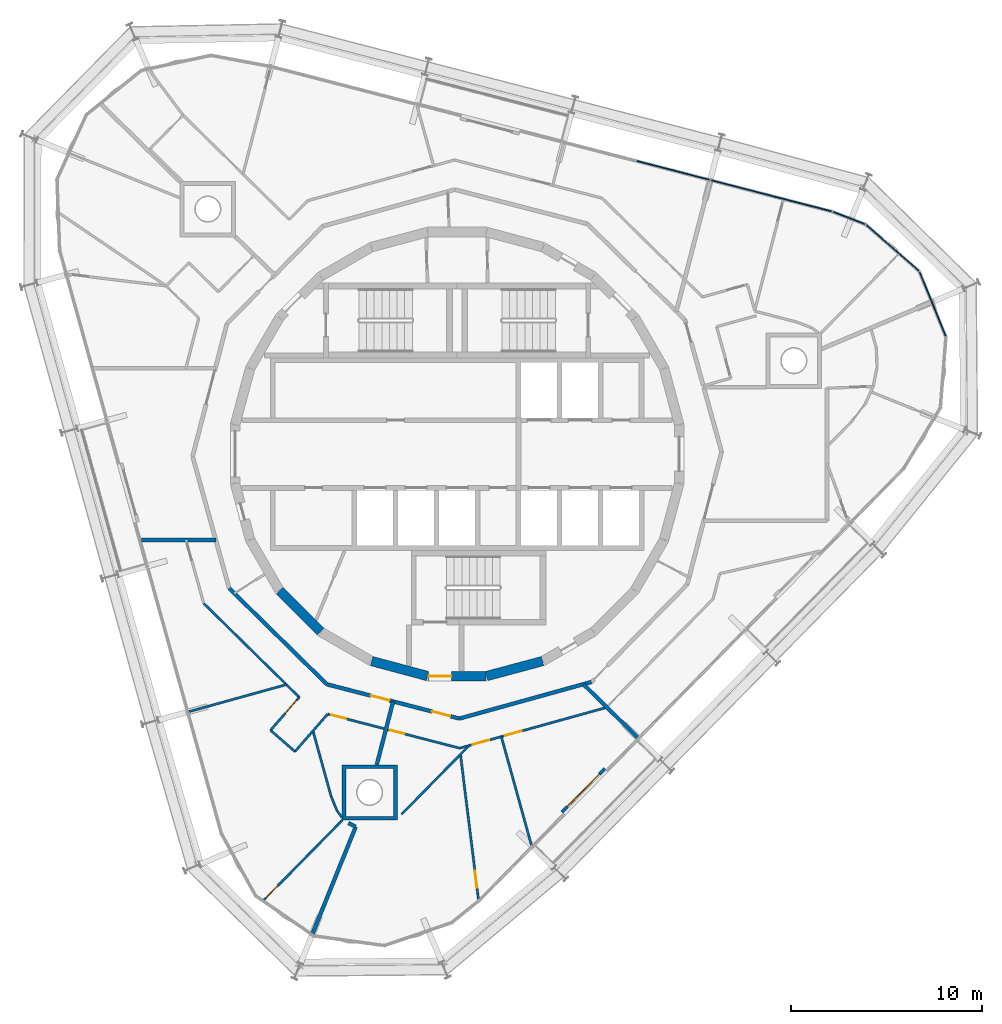
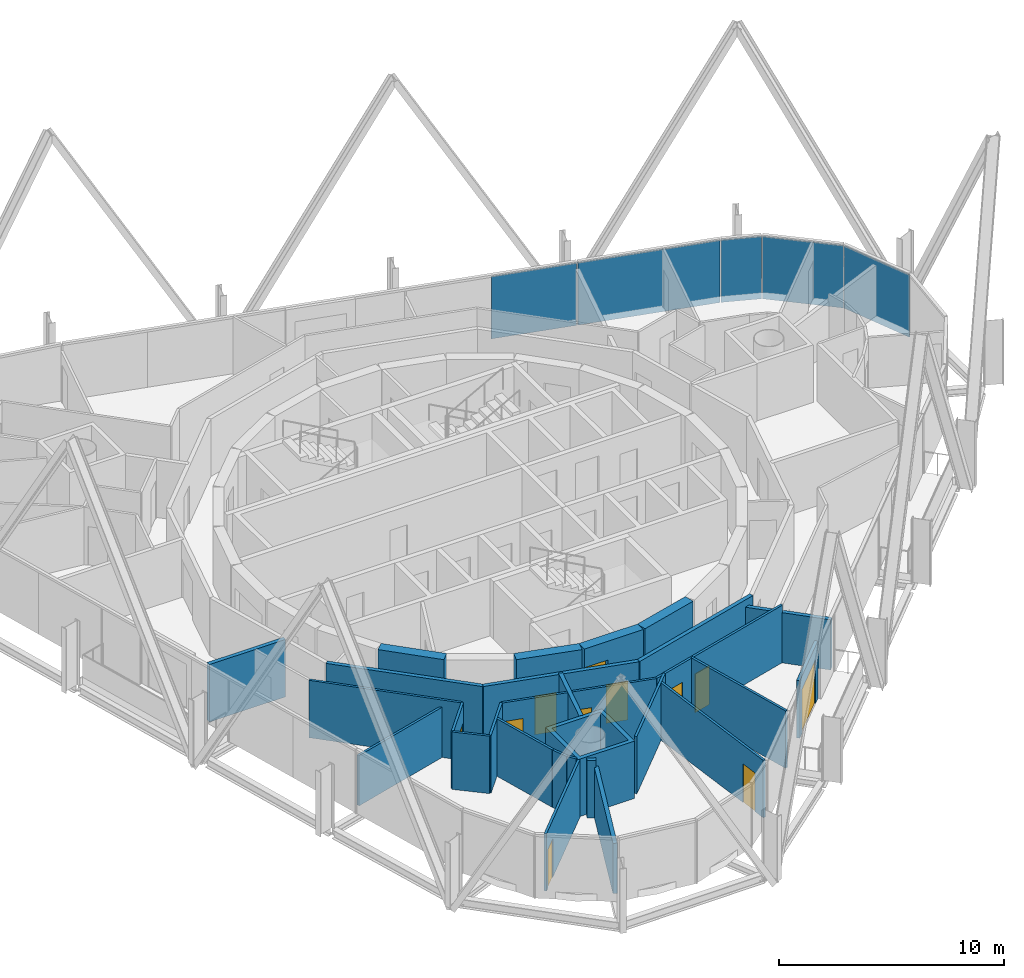
# One storey, part 9 of 15: 28 walls, 11 doors, 5 plates, 11 openings, 2 elements without a shape of their own.
"""IFC4 building model written with IfcOpenShell, lengths in metres."""

from ifc_helpers import new_model, si_unit, direction, frame, frame_2d, origin, origin_2d, place, context, subcontext, project, spatial, polyline, rectangle, outline, extrude, material, layer, layer_set, type_object, element, fill, aggregate, save


model = new_model("IFC4")

# Units and contexts
model_context = context("Model", 3, precision=1e-05, world=origin(), true_north=direction((0.0, 1.0)))
body_context = subcontext(model_context, "Body", "Model", "MODEL_VIEW")
ifc_project = project(units=[si_unit("LENGTHUNIT", "METRE"), si_unit("AREAUNIT", "SQUARE_METRE"), si_unit("VOLUMEUNIT", "CUBIC_METRE"), si_unit("PLANEANGLEUNIT", "RADIAN"), si_unit("MASSUNIT", "GRAM", prefix="KILO")], contexts=[model_context])

# Site, building, storey
site_placement = place(None, origin())
site = spatial("IfcSite", under=ifc_project, at=site_placement, CompositionType="ELEMENT")
building_placement = place(site_placement, origin())
building = spatial("IfcBuilding", under=site, at=building_placement, Name="Spindle Arch Residences", CompositionType="ELEMENT")
storey_placement = place(building_placement, frame((0.0, 0.0, 312.199951171875)))
storey = spatial("IfcBuildingStorey", under=building, at=storey_placement, Name="L80", CompositionType="ELEMENT", Elevation=312.199951171875)

# Curtain wall, plates
ifc_material_1 = material(Name="Aluminium bronze unitised frame with tinted glass", Category="aluminium")
ifc_layer_1 = layer(ifc_material_1, 0.159912109375)
ifc_layer_set_1 = layer_set([ifc_layer_1], Name="CW-D corner wall on the fillet arcs")
curtain_wall_type_1 = type_object("IfcCurtainWallType", Name="CW-D corner wall on the fillet arcs", PredefinedType="NOTDEFINED", material=ifc_layer_set_1)
curtain_wall_1_placement = place(storey_placement, origin())
curtain_wall_1 = element("IfcCurtainWall", 1, at=curtain_wall_1_placement, inside=storey, type_object=curtain_wall_type_1, Name="CW-D L80 run 1", PredefinedType="NOTDEFINED")
ifc_material_2 = material(Name="Tinted double glazing over aluminium faced non-combustible spandrel zone (K0)", Category="aluminium")
ifc_layer_2 = layer(ifc_material_2, 0.06005859375)
ifc_layer_set_2 = layer_set([ifc_layer_2], Name="Unitised glass panel with E 60 spandrel zone")
plate_type = type_object("IfcPlateType", Name="Unitised glass panel with E 60 spandrel zone", PredefinedType="CURTAIN_PANEL", material=ifc_layer_set_2)
plate_1_placement = place(storey_placement, frame((24.94384765625, 7.86474609375, -0.3798828125), z_axis=(0.0, 0.0, 1.0), x_axis=(-0.377302072189, 0.926090247396, 0.0)))
plate_1 = element("IfcPlate", 2, at=plate_1_placement, type_object=plate_type, Name="CW-D unit 03", PredefinedType="CURTAIN_PANEL", context=body_context, shape_type="SweptSolid", body=[
    extrude(rectangle(XDim=3.666748046875, YDim=0.06005859375, at=origin_2d()), origin(), (0.0, 0.0, 1.0), 3.3798828125),
])
plate_2_placement = place(storey_placement, frame((22.837890625, 10.81689453125, -0.3798828125), z_axis=(0.0, 0.0, 1.0), x_axis=(-0.752797991635, 0.658251611308, 0.0)))
plate_2 = element("IfcPlate", 3, at=plate_2_placement, type_object=plate_type, Name="CW-D unit 04", PredefinedType="CURTAIN_PANEL", context=body_context, shape_type="SweptSolid", body=[
    extrude(rectangle(XDim=3.666748046875, YDim=0.06005859375, at=origin_2d()), origin(), (0.0, 0.0, 1.0), 3.3798828125),
])
plate_3_placement = place(storey_placement, frame((20.560546875, 12.38232421875, -0.3798828125), z_axis=(0.0, 0.0, 1.0), x_axis=(-0.932534030225, 0.361082099353, 0.0)))
plate_3 = element("IfcPlate", 4, at=plate_3_placement, type_object=plate_type, Name="CW-D unit 05", PredefinedType="CURTAIN_PANEL", context=body_context, shape_type="SweptSolid", body=[
    extrude(rectangle(XDim=1.816162109375, YDim=0.06005859375, at=origin_2d()), origin(), (0.0, 0.0, 1.0), 3.3798828125),
])
plate_4_placement = place(storey_placement, frame((16.483154296875, 13.549072265625, -0.3798828125), z_axis=(0.0, 0.0, 1.0), x_axis=(-0.968147640378, 0.250380004054, 0.0)))
plate_4 = element("IfcPlate", 5, at=plate_4_placement, type_object=plate_type, Name="CW-D unit 06", PredefinedType="CURTAIN_PANEL", context=body_context, shape_type="SweptSolid", body=[
    extrude(rectangle(XDim=6.555908203125, YDim=0.06005859375, at=origin_2d()), origin(), (0.0, 0.0, 1.0), 3.3798828125),
])
aggregate(curtain_wall_1, [plate_1, plate_2, plate_3, plate_4])

# Curtain wall, plate
ifc_material_3 = material(Name="Aluminium bronze unitised frame with tinted glass", Category="aluminium")
ifc_layer_3 = layer(ifc_material_3, 0.159912109375)
ifc_layer_set_3 = layer_set([ifc_layer_3], Name="CW-C typical residential unitised wall")
curtain_wall_type_2 = type_object("IfcCurtainWallType", Name="CW-C typical residential unitised wall", PredefinedType="NOTDEFINED", material=ifc_layer_set_3)
curtain_wall_2_placement = place(storey_placement, origin())
curtain_wall_2 = element("IfcCurtainWall", 6, at=curtain_wall_2_placement, inside=storey, type_object=curtain_wall_type_2, Name="CW-C L80 run 2", PredefinedType="NOTDEFINED")
plate_5_placement = place(storey_placement, frame((11.34521484375, 14.8779296875, -0.3798828125), z_axis=(0.0, 0.0, 1.0), x_axis=(-0.968147640378, 0.250380004054, 0.0)))
plate_5 = element("IfcPlate", 7, at=plate_5_placement, type_object=plate_type, Name="CW-C unit 05A", PredefinedType="CURTAIN_PANEL", context=body_context, shape_type="SweptSolid", body=[
    extrude(rectangle(XDim=3.9375, YDim=0.06005859375, at=origin_2d()), origin(), (0.0, 0.0, 1.0), 3.3798828125),
])
aggregate(curtain_wall_2, [plate_5])

# Walls
ifc_material_4 = material(Name="Concrete C50/60", Category="concrete")
ifc_layer_4 = layer(ifc_material_4, 0.5)
ifc_layer_set_4 = layer_set([ifc_layer_4], Name="Core outline wall 500")
wall_type_1 = type_object("IfcWallType", Name="Core outline wall 500", PredefinedType="SHEAR", material=ifc_layer_set_4)
wall_1_placement = place(storey_placement, frame((1.5498046875, -11.642822265625, 0.0), z_axis=(0.0, 0.0, 1.0), x_axis=(0.965948410781, 0.258734743916, 0.0)))
element("IfcWall", 8, at=wall_1_placement, inside=storey, type_object=wall_type_1, Name="Core outline wall 1", PredefinedType="SHEAR", context=body_context, shape_type="SweptSolid", body=[
    extrude(rectangle(XDim=3.03271484375, YDim=0.5, at=frame_2d((1.516357421875, 0.0))), origin(), (0.0, 0.0, 1.0), 3.1201171875),
])
wall_2_placement = place(storey_placement, frame((-9.30810546875, -7.163818359375, 0.0), z_axis=(0.0, 0.0, 1.0), x_axis=(0.707106781187, -0.707106781187, 0.0)))
element("IfcWall", 9, at=wall_2_placement, inside=storey, type_object=wall_type_1, Name="Core outline wall 21", PredefinedType="SHEAR", context=body_context, shape_type="SweptSolid", body=[
    extrude(rectangle(XDim=3.032470703125, YDim=0.5, at=frame_2d((1.51611328125, 0.0))), origin(), (0.0, 0.0, 1.0), 3.1201171875),
])
wall_3_placement = place(storey_placement, frame((-4.479248046875, -10.858154296875, 0.0), z_axis=(0.0, 0.0, 1.0), x_axis=(0.965948410781, -0.258734743916, 0.0)))
element("IfcWall", 10, at=wall_3_placement, inside=storey, type_object=wall_type_1, Name="Core outline wall 23", PredefinedType="SHEAR", context=body_context, shape_type="SweptSolid", body=[
    extrude(rectangle(XDim=3.03271484375, YDim=0.5, at=frame_2d((1.516357421875, 0.0))), origin(), (0.0, 0.0, 1.0), 3.1201171875),
])

# Wall, opening, door
wall_4_placement = place(storey_placement, frame((-1.516357421875, -11.647216796875, 0.0), z_axis=(0.0, 0.0, 1.0), x_axis=(1.0, 0.0, 0.0)))
wall_4 = element("IfcWall", 11, at=wall_4_placement, inside=storey, type_object=wall_type_1, Name="Core outline wall 24", PredefinedType="SHEAR", context=body_context, shape_type="SweptSolid", body=[
    extrude(rectangle(XDim=3.03271484375, YDim=0.5, at=frame_2d((1.516357421875, 0.0))), origin(), (0.0, 0.0, 1.0), 3.1201171875),
])
opening_1_placement = place(wall_4_placement, frame((0.016357421875, 0.0, 0.0)))
opening_1 = element("IfcOpeningElement", 12, at=opening_1_placement, cuts=wall_4, Name="Opening R8B0-AD03", PredefinedType="OPENING", context=body_context, shape_type="SweptSolid", body=[
    extrude(rectangle(XDim=1.199951171875, YDim=2.10009765625, at=frame_2d((0.60009765625, 1.050048828125))), frame((0.0, 0.260009765625, 0.0), z_axis=(0.0, -1.0, 0.0), x_axis=(1.0, 0.0, 0.0)), (0.0, 0.0, 1.0), 0.52001953125),
])
ifc_material_5 = material(Name="Steel, fire-resisting door", Category="steel")
door_type_1 = type_object("IfcDoorType", Name="Stair airlock door 1200x2100", OperationType="SINGLE_SWING_LEFT", PredefinedType="DOOR", material=ifc_material_5)
door_1_placement = place(opening_1_placement, origin())
door_1 = element("IfcDoor", 13, at=door_1_placement, inside=storey, type_object=door_type_1, Name="Stair airlock door R8B0-AD03", OperationType="SINGLE_SWING_RIGHT", OverallHeight=2.10009765625, OverallWidth=1.199951171875, PredefinedType="DOOR", context=body_context, shape_type="SweptSolid", body=[
    extrude(rectangle(XDim=1.199951171875, YDim=2.10009765625, at=frame_2d((0.60009765625, 1.050048828125))), frame((0.0, 0.02490234375, 0.0), z_axis=(0.0, -1.0, 0.0), x_axis=(1.0, 0.0, 0.0)), (0.0, 0.0, 1.0), 0.050048828125),
])
fill(opening_1, door_1)

# Wall
ifc_material_6 = material(Name="Calcium silicate block, plastered")
ifc_layer_5 = layer(ifc_material_6, 0.199951171875)
ifc_layer_set_5 = layer_set([ifc_layer_5], Name="Corridor wall 200")
wall_type_2 = type_object("IfcWallType", Name="Corridor wall 200", PredefinedType="STANDARD", material=ifc_layer_set_5)
wall_5_placement = place(storey_placement, frame((-11.953125, -7.041015625, 0.0), z_axis=(0.0, 0.0, 1.0), x_axis=(0.713250549143, -0.70090916255, 0.0)))
element("IfcWall", 14, at=wall_5_placement, inside=storey, type_object=wall_type_2, Name="Corridor wall R8B0-W013", PredefinedType="STANDARD", context=body_context, shape_type="SweptSolid", body=[
    extrude(rectangle(XDim=7.180908203125, YDim=0.199951171875, at=frame_2d((3.59033203125, 0.0))), origin(), (0.0, 0.0, 1.0), 3.1201171875),
])

# Wall, openings, doors
wall_6_placement = place(storey_placement, frame((-6.831298828125, -12.07421875, 0.0), z_axis=(0.0, 0.0, 1.0), x_axis=(0.968144780225, -0.250391063186, 0.0)))
wall_6 = element("IfcWall", 15, at=wall_6_placement, inside=storey, type_object=wall_type_2, Name="Corridor wall R8B0-W014", PredefinedType="STANDARD", context=body_context, shape_type="SweptSolid", body=[
    extrude(rectangle(XDim=7.18115234375, YDim=0.199951171875, at=frame_2d((3.590576171875, 0.0))), origin(), (0.0, 0.0, 1.0), 3.1201171875),
])
opening_2_placement = place(wall_6_placement, frame((2.390380859375, 0.0, 0.0)))
opening_2 = element("IfcOpeningElement", 16, at=opening_2_placement, cuts=wall_6, Name="Opening R8B0-FD04", PredefinedType="OPENING", context=body_context, shape_type="SweptSolid", body=[
    extrude(rectangle(XDim=1.0, YDim=2.10009765625, at=frame_2d((0.5, 1.050048828125))), frame((0.0, 0.10986328125, 0.0), z_axis=(0.0, -1.0, 0.0), x_axis=(1.0, 0.0, 0.0)), (0.0, 0.0, 1.0), 0.219970703125),
])
opening_3_placement = place(wall_6_placement, frame((5.6904296875, 0.0, 0.0)))
opening_3 = element("IfcOpeningElement", 17, at=opening_3_placement, cuts=wall_6, Name="Opening R8B0-FD05", PredefinedType="OPENING", context=body_context, shape_type="SweptSolid", body=[
    extrude(rectangle(XDim=1.0, YDim=2.10009765625, at=frame_2d((0.5, 1.050048828125))), frame((0.0, 0.10986328125, 0.0), z_axis=(0.0, -1.0, 0.0), x_axis=(1.0, 0.0, 0.0)), (0.0, 0.0, 1.0), 0.219970703125),
])
ifc_material_7 = material(Name="Timber, fire-resisting door set", Category="wood")
door_type_2 = type_object("IfcDoorType", Name="Flat entrance door 1000x2100", OperationType="NOTDEFINED", PredefinedType="DOOR", material=ifc_material_7)
door_2_placement = place(opening_2_placement, origin())
door_2 = element("IfcDoor", 18, at=door_2_placement, inside=storey, type_object=door_type_2, Name="Flat entrance door R8B0-FD04", OperationType="SINGLE_SWING_RIGHT", OverallHeight=2.10009765625, OverallWidth=1.0, PredefinedType="DOOR", context=body_context, shape_type="SweptSolid", body=[
    extrude(rectangle(XDim=1.0, YDim=2.10009765625, at=frame_2d((0.5, 1.050048828125))), frame((0.0, 0.02490234375, 0.0), z_axis=(0.0, -1.0, 0.0), x_axis=(1.0, 0.0, 0.0)), (0.0, 0.0, 1.0), 0.050048828125),
])
fill(opening_2, door_2)
door_3_placement = place(opening_3_placement, origin())
door_3 = element("IfcDoor", 19, at=door_3_placement, inside=storey, type_object=door_type_2, Name="Flat entrance door R8B0-FD05", OperationType="SINGLE_SWING_LEFT", OverallHeight=2.10009765625, OverallWidth=1.0, PredefinedType="DOOR", context=body_context, shape_type="SweptSolid", body=[
    extrude(rectangle(XDim=1.0, YDim=2.10009765625, at=frame_2d((0.5, 1.050048828125))), frame((0.0, 0.02490234375, 0.0), z_axis=(0.0, -1.0, 0.0), x_axis=(1.0, 0.0, 0.0)), (0.0, 0.0, 1.0), 0.050048828125),
])
fill(opening_3, door_3)

# Walls
wall_7_placement = place(storey_placement, frame((0.12109375, -13.872314453125, 0.0), z_axis=(0.0, 0.0, 1.0), x_axis=(0.963625960674, 0.267254575108, 0.0)))
element("IfcWall", 20, at=wall_7_placement, inside=storey, type_object=wall_type_2, Name="Corridor wall R8B0-W015", PredefinedType="STANDARD", context=body_context, shape_type="SweptSolid", body=[
    extrude(rectangle(XDim=7.18115234375, YDim=0.199951171875, at=frame_2d((3.590576171875, 0.0))), origin(), (0.0, 0.0, 1.0), 3.1201171875),
])
ifc_material_8 = material(Name="Plasterboard on steel studs", Category="steel")
ifc_layer_6 = layer(ifc_material_8, 0.1201171875)
ifc_layer_set_6 = layer_set([ifc_layer_6], Name="Flat partition 120")
wall_type_3 = type_object("IfcWallType", Name="Flat partition 120", PredefinedType="PARTITIONING", material=ifc_layer_set_6)
wall_8_placement = place(storey_placement, frame((-13.291259765625, -7.8291015625, 0.0), z_axis=(0.0, 0.0, 1.0), x_axis=(0.71326209988, -0.700897408238, 0.0)))
element("IfcWall", 21, at=wall_8_placement, inside=storey, type_object=wall_type_3, Name="Flat partition R8B0-W060", PredefinedType="PARTITIONING", context=body_context, shape_type="SweptSolid", body=[
    extrude(rectangle(XDim=7.029296875, YDim=0.1201171875, at=frame_2d((3.5146484375, 0.0))), origin(), (0.0, 0.0, 1.0), 3.1201171875),
])

# Wall, opening, door
wall_9_placement = place(storey_placement, frame((-8.277587890625, -12.755859375, 0.0), z_axis=(0.0, 0.0, 1.0), x_axis=(-0.657358463875, -0.753578031774, 0.0)))
wall_9 = element("IfcWall", 22, at=wall_9_placement, inside=storey, type_object=wall_type_3, Name="Flat partition R8B0-W061", PredefinedType="PARTITIONING", context=body_context, shape_type="SweptSolid", body=[
    extrude(rectangle(XDim=2.293701171875, YDim=0.1201171875, at=frame_2d((1.14697265625, 0.0))), origin(), (0.0, 0.0, 1.0), 3.1201171875),
])
opening_4_placement = place(wall_9_placement, frame((0.199951171875, 0.0, 0.0)))
opening_4 = element("IfcOpeningElement", 23, at=opening_4_placement, cuts=wall_9, Name="Opening R8B0-ID13", PredefinedType="OPENING", context=body_context, shape_type="SweptSolid", body=[
    extrude(rectangle(XDim=0.89990234375, YDim=2.10009765625, at=frame_2d((0.449951171875, 1.050048828125))), frame((0.0, 0.070068359375, 0.0), z_axis=(0.0, -1.0, 0.0), x_axis=(1.0, 0.0, 0.0)), (0.0, 0.0, 1.0), 0.14013671875),
])
ifc_material_9 = material(Name="Timber door set", Category="wood")
door_type_3 = type_object("IfcDoorType", Name="Room door 900x2100", OperationType="NOTDEFINED", PredefinedType="DOOR", material=ifc_material_9)
door_4_placement = place(opening_4_placement, origin())
door_4 = element("IfcDoor", 24, at=door_4_placement, inside=storey, type_object=door_type_3, Name="Room door R8B0-ID13", OperationType="SINGLE_SWING_RIGHT", OverallHeight=2.10009765625, OverallWidth=0.89990234375, PredefinedType="DOOR", context=body_context, shape_type="SweptSolid", body=[
    extrude(rectangle(XDim=0.89990234375, YDim=2.10009765625, at=frame_2d((0.449951171875, 1.050048828125))), frame((0.0, 0.02490234375, 0.0), z_axis=(0.0, -1.0, 0.0), x_axis=(1.0, 0.0, 0.0)), (0.0, 0.0, 1.0), 0.050048828125),
])
fill(opening_4, door_4)

# Walls
wall_10_placement = place(storey_placement, frame((-9.785400390625, -14.484375, 0.0), z_axis=(0.0, 0.0, 1.0), x_axis=(0.753643217927, -0.657283728745, 0.0)))
element("IfcWall", 25, at=wall_10_placement, inside=storey, type_object=wall_type_3, Name="Flat partition R8B0-W062", PredefinedType="PARTITIONING", context=body_context, shape_type="SweptSolid", body=[
    extrude(rectangle(XDim=1.7001953125, YDim=0.1201171875, at=frame_2d((0.85009765625, 0.0))), origin(), (0.0, 0.0, 1.0), 3.1201171875),
])
wall_11_placement = place(storey_placement, frame((-8.504150390625, -15.601806640625, 0.0), z_axis=(0.0, 0.0, 1.0), x_axis=(0.657298689015, 0.753630170189, 0.0)))
element("IfcWall", 26, at=wall_11_placement, inside=storey, type_object=wall_type_3, Name="Flat partition R8B0-W063", PredefinedType="PARTITIONING", context=body_context, shape_type="SweptSolid", body=[
    extrude(rectangle(XDim=2.6103515625, YDim=0.1201171875, at=frame_2d((1.30517578125, 0.0))), origin(), (0.0, 0.0, 1.0), 3.1201171875),
])

# Wall, openings, doors
wall_12_placement = place(storey_placement, frame((-6.788330078125, -13.634521484375, 0.0), z_axis=(0.0, 0.0, 1.0), x_axis=(0.968142345176, -0.250400478189, 0.0)))
wall_12 = element("IfcWall", 27, at=wall_12_placement, inside=storey, type_object=wall_type_3, Name="Flat partition R8B0-W064", PredefinedType="PARTITIONING", context=body_context, shape_type="SweptSolid", body=[
    extrude(rectangle(XDim=7.150634765625, YDim=0.1201171875, at=frame_2d((3.5751953125, 0.0))), origin(), (0.0, 0.0, 1.0), 3.1201171875),
])
opening_5_placement = place(wall_12_placement, frame((0.199951171875, 0.0, 0.0)))
opening_5 = element("IfcOpeningElement", 28, at=opening_5_placement, cuts=wall_12, Name="Opening R8B0-BD04", PredefinedType="OPENING", context=body_context, shape_type="SweptSolid", body=[
    extrude(rectangle(XDim=0.800048828125, YDim=2.10009765625, at=frame_2d((0.39990234375, 1.050048828125))), frame((0.0, 0.070068359375, 0.0), z_axis=(0.0, -1.0, 0.0), x_axis=(1.0, 0.0, 0.0)), (0.0, 0.0, 1.0), 0.14013671875),
])
opening_6_placement = place(wall_12_placement, frame((3.358154296875, 0.0, 0.0)))
opening_6 = element("IfcOpeningElement", 29, at=opening_6_placement, cuts=wall_12, Name="Opening R8B0-BD05", PredefinedType="OPENING", context=body_context, shape_type="SweptSolid", body=[
    extrude(rectangle(XDim=0.800048828125, YDim=2.10009765625, at=frame_2d((0.39990234375, 1.050048828125))), frame((0.0, 0.070068359375, 0.0), z_axis=(0.0, -1.0, 0.0), x_axis=(1.0, 0.0, 0.0)), (0.0, 0.0, 1.0), 0.14013671875),
])
ifc_material_10 = material(Name="Timber door set", Category="wood")
door_type_4 = type_object("IfcDoorType", Name="Bathroom door 800x2100", OperationType="NOTDEFINED", PredefinedType="DOOR", material=ifc_material_10)
door_5_placement = place(opening_5_placement, origin())
door_5 = element("IfcDoor", 30, at=door_5_placement, inside=storey, type_object=door_type_4, Name="Bathroom door R8B0-BD04", OperationType="SINGLE_SWING_RIGHT", OverallHeight=2.10009765625, OverallWidth=0.800048828125, PredefinedType="DOOR", context=body_context, shape_type="SweptSolid", body=[
    extrude(rectangle(XDim=0.800048828125, YDim=2.10009765625, at=frame_2d((0.39990234375, 1.050048828125))), frame((0.0, 0.02490234375, 0.0), z_axis=(0.0, -1.0, 0.0), x_axis=(1.0, 0.0, 0.0)), (0.0, 0.0, 1.0), 0.050048828125),
])
fill(opening_5, door_5)
door_6_placement = place(opening_6_placement, origin())
door_6 = element("IfcDoor", 31, at=door_6_placement, inside=storey, type_object=door_type_4, Name="Bathroom door R8B0-BD05", OperationType="SINGLE_SWING_RIGHT", OverallHeight=2.10009765625, OverallWidth=0.800048828125, PredefinedType="DOOR", context=body_context, shape_type="SweptSolid", body=[
    extrude(rectangle(XDim=0.800048828125, YDim=2.10009765625, at=frame_2d((0.39990234375, 1.050048828125))), frame((0.0, 0.02490234375, 0.0), z_axis=(0.0, -1.0, 0.0), x_axis=(1.0, 0.0, 0.0)), (0.0, 0.0, 1.0), 0.050048828125),
])
fill(opening_6, door_6)

# Walls
wall_13_placement = place(storey_placement, frame((-6.04150390625, -19.060546875, 0.0), z_axis=(0.0, 0.0, 1.0), x_axis=(-0.580679627377, 0.814132157791, 0.0)))
element("IfcWall", 32, at=wall_13_placement, inside=storey, type_object=wall_type_3, Name="Flat partition R8B0-W066", PredefinedType="PARTITIONING", context=body_context, shape_type="SweptSolid", body=[
    extrude(rectangle(XDim=0.454833984375, YDim=0.1201171875, at=frame_2d((0.2275390625, 0.0))), origin(), (0.0, 0.0, 1.0), 3.1201171875),
])
wall_14_placement = place(storey_placement, frame((-6.3056640625, -18.690185546875, 0.0), z_axis=(0.0, 0.0, 1.0), x_axis=(-0.377123826076, 0.926162847347, 0.0)))
element("IfcWall", 33, at=wall_14_placement, inside=storey, type_object=wall_type_3, Name="Flat partition R8B0-W067", PredefinedType="PARTITIONING", context=body_context, shape_type="SweptSolid", body=[
    extrude(rectangle(XDim=0.806640625, YDim=0.1201171875, at=frame_2d((0.4033203125, 0.0))), origin(), (0.0, 0.0, 1.0), 3.1201171875),
])
wall_15_placement = place(storey_placement, frame((-6.60986328125, -17.943115234375, 0.0), z_axis=(0.0, 0.0, 1.0), x_axis=(-0.267254066434, 0.96362610175, 0.0)))
element("IfcWall", 34, at=wall_15_placement, inside=storey, type_object=wall_type_3, Name="Flat partition R8B0-W068", PredefinedType="PARTITIONING", context=body_context, shape_type="SweptSolid", body=[
    extrude(rectangle(XDim=3.553466796875, YDim=0.1201171875, at=frame_2d((1.77685546875, 0.0))), origin(), (0.0, 0.0, 1.0), 3.1201171875),
])

# Wall, opening, door
wall_16_placement = place(storey_placement, frame((-10.169189453125, -23.42138671875, 0.0), z_axis=(0.0, 0.0, 1.0), x_axis=(0.70104569517, 0.713116353258, 0.0)))
wall_16 = element("IfcWall", 35, at=wall_16_placement, inside=storey, type_object=wall_type_3, Name="Flat partition R8B0-W069", PredefinedType="PARTITIONING", context=body_context, shape_type="SweptSolid", body=[
    extrude(rectangle(XDim=5.92626953125, YDim=0.1201171875, at=frame_2d((2.963134765625, 0.0))), origin(), (0.0, 0.0, 1.0), 3.1201171875),
])
opening_7_placement = place(wall_16_placement, frame((0.199951171875, 0.0, 0.0)))
opening_7 = element("IfcOpeningElement", 36, at=opening_7_placement, cuts=wall_16, Name="Opening R8B0-ID14", PredefinedType="OPENING", context=body_context, shape_type="SweptSolid", body=[
    extrude(rectangle(XDim=0.89990234375, YDim=2.10009765625, at=frame_2d((0.449951171875, 1.050048828125))), frame((0.0, 0.070068359375, 0.0), z_axis=(0.0, -1.0, 0.0), x_axis=(1.0, 0.0, 0.0)), (0.0, 0.0, 1.0), 0.14013671875),
])
door_7_placement = place(opening_7_placement, origin())
door_7 = element("IfcDoor", 37, at=door_7_placement, inside=storey, type_object=door_type_3, Name="Room door R8B0-ID14", OperationType="SINGLE_SWING_RIGHT", OverallHeight=2.10009765625, OverallWidth=0.89990234375, PredefinedType="DOOR", context=body_context, shape_type="SweptSolid", body=[
    extrude(rectangle(XDim=0.89990234375, YDim=2.10009765625, at=frame_2d((0.449951171875, 1.050048828125))), frame((0.0, 0.02490234375, 0.0), z_axis=(0.0, -1.0, 0.0), x_axis=(1.0, 0.0, 0.0)), (0.0, 0.0, 1.0), 0.050048828125),
])
fill(opening_7, door_7)

# Wall, openings, doors
wall_17_placement = place(storey_placement, frame((0.134521484375, -15.425048828125, 0.0), z_axis=(0.0, 0.0, 1.0), x_axis=(0.963633899075, 0.267225950373, 0.0)))
wall_17 = element("IfcWall", 38, at=wall_17_placement, inside=storey, type_object=wall_type_3, Name="Flat partition R8B0-W070", PredefinedType="PARTITIONING", context=body_context, shape_type="SweptSolid", body=[
    extrude(rectangle(XDim=7.98486328125, YDim=0.1201171875, at=frame_2d((3.992431640625, 0.0))), origin(), (0.0, 0.0, 1.0), 3.1201171875),
])
opening_8_placement = place(wall_17_placement, frame((0.714111328125, 0.0, 0.0)))
opening_8 = element("IfcOpeningElement", 39, at=opening_8_placement, cuts=wall_17, Name="Opening R8B0-ID15", PredefinedType="OPENING", context=body_context, shape_type="SweptSolid", body=[
    extrude(rectangle(XDim=0.89990234375, YDim=2.10009765625, at=frame_2d((0.449951171875, 1.050048828125))), frame((0.0, 0.070068359375, 0.0), z_axis=(0.0, -1.0, 0.0), x_axis=(1.0, 0.0, 0.0)), (0.0, 0.0, 1.0), 0.14013671875),
])
opening_9_placement = place(wall_17_placement, frame((2.466796875, 0.0, 0.0)))
opening_9 = element("IfcOpeningElement", 40, at=opening_9_placement, cuts=wall_17, Name="Opening R8B0-ID16", PredefinedType="OPENING", context=body_context, shape_type="SweptSolid", body=[
    extrude(rectangle(XDim=0.89990234375, YDim=2.10009765625, at=frame_2d((0.449951171875, 1.050048828125))), frame((0.0, 0.070068359375, 0.0), z_axis=(0.0, -1.0, 0.0), x_axis=(1.0, 0.0, 0.0)), (0.0, 0.0, 1.0), 0.14013671875),
])
door_8_placement = place(opening_8_placement, origin())
door_8 = element("IfcDoor", 41, at=door_8_placement, inside=storey, type_object=door_type_3, Name="Room door R8B0-ID15", OperationType="SINGLE_SWING_LEFT", OverallHeight=2.10009765625, OverallWidth=0.89990234375, PredefinedType="DOOR", context=body_context, shape_type="SweptSolid", body=[
    extrude(rectangle(XDim=0.89990234375, YDim=2.10009765625, at=frame_2d((0.449951171875, 1.050048828125))), frame((0.0, 0.02490234375, 0.0), z_axis=(0.0, -1.0, 0.0), x_axis=(1.0, 0.0, 0.0)), (0.0, 0.0, 1.0), 0.050048828125),
])
fill(opening_8, door_8)
door_9_placement = place(opening_9_placement, origin())
door_9 = element("IfcDoor", 42, at=door_9_placement, inside=storey, type_object=door_type_3, Name="Room door R8B0-ID16", OperationType="SINGLE_SWING_LEFT", OverallHeight=2.10009765625, OverallWidth=0.89990234375, PredefinedType="DOOR", context=body_context, shape_type="SweptSolid", body=[
    extrude(rectangle(XDim=0.89990234375, YDim=2.10009765625, at=frame_2d((0.449951171875, 1.050048828125))), frame((0.0, 0.02490234375, 0.0), z_axis=(0.0, -1.0, 0.0), x_axis=(1.0, 0.0, 0.0)), (0.0, 0.0, 1.0), 0.050048828125),
])
fill(opening_9, door_9)

# Wall
wall_18_placement = place(storey_placement, frame((-2.917724609375, -18.89794921875, 0.0), z_axis=(0.0, 0.0, 1.0), x_axis=(0.700881606707, 0.713277627141, 0.0)))
element("IfcWall", 43, at=wall_18_placement, inside=storey, type_object=wall_type_3, Name="Flat partition R8B0-W071", PredefinedType="PARTITIONING", context=body_context, shape_type="SweptSolid", body=[
    extrude(rectangle(XDim=5.0615234375, YDim=0.1201171875, at=frame_2d((2.53076171875, 0.0))), origin(), (0.0, 0.0, 1.0), 3.1201171875),
])

# Wall, opening, door
wall_19_placement = place(storey_placement, frame((1.119140625, -23.35009765625, 0.0), z_axis=(0.0, 0.0, 1.0), x_axis=(-0.123281341476, 0.992371760402, 0.0)))
wall_19 = element("IfcWall", 44, at=wall_19_placement, inside=storey, type_object=wall_type_3, Name="Flat partition R8B0-W072", PredefinedType="PARTITIONING", context=body_context, shape_type="SweptSolid", body=[
    extrude(rectangle(XDim=7.657958984375, YDim=0.1201171875, at=frame_2d((3.8291015625, 0.0))), origin(), (0.0, 0.0, 1.0), 3.1201171875),
])
opening_10_placement = place(wall_19_placement, frame((0.60009765625, 0.0, 0.0)))
opening_10 = element("IfcOpeningElement", 45, at=opening_10_placement, cuts=wall_19, Name="Opening R8B0-ID17", PredefinedType="OPENING", context=body_context, shape_type="SweptSolid", body=[
    extrude(rectangle(XDim=0.89990234375, YDim=2.10009765625, at=frame_2d((0.449951171875, 1.050048828125))), frame((0.0, 0.070068359375, 0.0), z_axis=(0.0, -1.0, 0.0), x_axis=(1.0, 0.0, 0.0)), (0.0, 0.0, 1.0), 0.14013671875),
])
door_10_placement = place(opening_10_placement, origin())
door_10 = element("IfcDoor", 46, at=door_10_placement, inside=storey, type_object=door_type_3, Name="Room door R8B0-ID17", OperationType="SINGLE_SWING_LEFT", OverallHeight=2.10009765625, OverallWidth=0.89990234375, PredefinedType="DOOR", context=body_context, shape_type="SweptSolid", body=[
    extrude(rectangle(XDim=0.89990234375, YDim=2.10009765625, at=frame_2d((0.449951171875, 1.050048828125))), frame((0.0, 0.02490234375, 0.0), z_axis=(0.0, -1.0, 0.0), x_axis=(1.0, 0.0, 0.0)), (0.0, 0.0, 1.0), 0.050048828125),
])
fill(opening_10, door_10)

# Walls
wall_20_placement = place(storey_placement, frame((3.89990234375, -20.5205078125, 0.0), z_axis=(0.0, 0.0, 1.0), x_axis=(-0.267235205115, 0.963631332589, 0.0)))
element("IfcWall", 47, at=wall_20_placement, inside=storey, type_object=wall_type_3, Name="Flat partition R8B0-W073", PredefinedType="PARTITIONING", context=body_context, shape_type="SweptSolid", body=[
    extrude(rectangle(XDim=5.916259765625, YDim=0.1201171875, at=frame_2d((2.9580078125, 0.0))), origin(), (0.0, 0.0, 1.0), 3.1201171875),
])
ifc_material_11 = material(Name="Plasterboard on steel studs", Category="steel")
ifc_layer_7 = layer(ifc_material_11, 0.1201171875)
ifc_layer_set_7 = layer_set([ifc_layer_7], Name="Flat partition 120 under beam 2730")
wall_type_4 = type_object("IfcWallType", Name="Flat partition 120 under beam 2730", PredefinedType="PARTITIONING", material=ifc_layer_set_7)
wall_21_placement = place(storey_placement, frame((-14.06640625, -13.5078125, 0.0), z_axis=(0.0, 0.0, 1.0), x_axis=(0.963634530082, 0.267223674913, 0.0)))
element("IfcWall", 48, at=wall_21_placement, inside=storey, type_object=wall_type_4, Name="Flat partition R8B0-W065", PredefinedType="PARTITIONING", context=body_context, shape_type="SweptSolid", body=[
    extrude(rectangle(XDim=5.304443359375, YDim=0.1201171875, at=frame_2d((2.65234375, 0.0))), origin(), (0.0, 0.0, 1.0), 2.72998046875),
])
ifc_material_12 = material(Name="Calcium silicate block, plastered")
ifc_layer_8 = layer(ifc_material_12, 0.199951171875)
ifc_layer_set_8 = layer_set([ifc_layer_8], Name="Flat party wall 200")
wall_type_5 = type_object("IfcWallType", Name="Flat party wall 200", PredefinedType="STANDARD", material=ifc_layer_set_8)
wall_22_placement = place(storey_placement, frame((-4.21435546875, -16.29541015625, 0.0), z_axis=(0.0, 0.0, 1.0), x_axis=(0.250428810918, 0.968135016752, 0.0)))
element("IfcWall", 49, at=wall_22_placement, inside=storey, type_object=wall_type_5, Name="Flat party wall R8B0-W026", PredefinedType="STANDARD", context=body_context, shape_type="SweptSolid", body=[
    extrude(rectangle(XDim=3.431640625, YDim=0.199951171875, at=frame_2d((1.7158203125, 0.0))), origin(), (0.0, 0.0, 1.0), 3.1201171875),
])
wall_23_placement = place(storey_placement, frame((-5.3271484375, -19.544921875, 0.0), z_axis=(0.0, 0.0, 1.0), x_axis=(-0.884418577045, 0.466694525979, 0.0)))
element("IfcWall", 50, at=wall_23_placement, inside=storey, type_object=wall_type_5, Name="Flat party wall R8B0-W028", PredefinedType="STANDARD", context=body_context, shape_type="SweptSolid", body=[
    extrude(rectangle(XDim=0.413818359375, YDim=0.199951171875, at=frame_2d((0.20703125, 0.0))), origin(), (0.0, 0.0, 1.0), 3.1201171875),
])
ifc_material_13 = material(Name="Calcium silicate block, plastered")
ifc_layer_9 = layer(ifc_material_13, 0.199951171875)
ifc_layer_set_9 = layer_set([ifc_layer_9], Name="Flat party wall 200 under beam 2730")
wall_type_6 = type_object("IfcWallType", Name="Flat party wall 200 under beam 2730", PredefinedType="STANDARD", material=ifc_layer_set_9)
wall_24_placement = place(storey_placement, frame((-7.581787109375, -25.15087890625, 0.0), z_axis=(0.0, 0.0, 1.0), x_axis=(0.3746561435, 0.927163833493, 0.0)))
element("IfcWall", 51, at=wall_24_placement, inside=storey, type_object=wall_type_6, Name="Flat party wall R8B0-W027", PredefinedType="STANDARD", context=body_context, shape_type="SweptSolid", body=[
    extrude(rectangle(XDim=6.041259765625, YDim=0.199951171875, at=frame_2d((3.0205078125, 0.0))), origin(), (0.0, 0.0, 1.0), 2.72998046875),
])
wall_25_placement = place(storey_placement, frame((9.4619140625, -14.860595703125, 0.0), z_axis=(0.0, 0.0, 1.0), x_axis=(-0.713302018318, 0.700856783276, 0.0)))
element("IfcWall", 52, at=wall_25_placement, inside=storey, type_object=wall_type_6, Name="Flat party wall R8B0-W029", PredefinedType="STANDARD", context=body_context, shape_type="SweptSolid", body=[
    extrude(rectangle(XDim=3.982177734375, YDim=0.199951171875, at=frame_2d((1.9912109375, 0.0))), origin(), (0.0, 0.0, 1.0), 2.72998046875),
])

# Wall, opening, door
ifc_material_14 = material(Name="Non-combustible mineral wool insulated aluminium faced external wall (K0)", Category="aluminium")
ifc_layer_10 = layer(ifc_material_14, 0.159912109375)
ifc_layer_set_10 = layer_set([ifc_layer_10], Name="Insulated external wall panel 160")
wall_type_7 = type_object("IfcWallType", Name="Insulated external wall panel 160", PredefinedType="STANDARD", material=ifc_layer_set_10)
wall_26_placement = place(storey_placement, frame((5.50244140625, -18.775634765625, 0.0), z_axis=(0.0, 0.0, 1.0), x_axis=(0.700900076932, 0.713259477439, 0.0)))
wall_26 = element("IfcWall", 53, at=wall_26_placement, inside=storey, type_object=wall_type_7, Name="External wall L80 bay 19", PredefinedType="STANDARD", context=body_context, shape_type="SweptSolid", body=[
    extrude(rectangle(XDim=3.199951171875, YDim=0.159912109375, at=frame_2d((1.60009765625, 0.0))), origin(), (0.0, 0.0, 1.0), 3.1201171875),
])
opening_11_placement = place(wall_26_placement, frame((0.39990234375, 0.0, 0.0)))
opening_11 = element("IfcOpeningElement", 54, at=opening_11_placement, cuts=wall_26, Name="Opening BD19", PredefinedType="OPENING", context=body_context, shape_type="SweptSolid", body=[
    extrude(rectangle(XDim=2.39990234375, YDim=2.39990234375, at=frame_2d((1.199951171875, 1.199951171875))), frame((0.0, 0.08984375, 0.0), z_axis=(0.0, -1.0, 0.0), x_axis=(1.0, 0.0, 0.0)), (0.0, 0.0, 1.0), 0.179931640625),
])
ifc_material_15 = material(Name="Bronze aluminium frame, tinted double glazing", Category="aluminium")
door_type_5 = type_object("IfcDoorType", Name="Sliding glazed balcony door 2400x2400", OperationType="DOUBLE_DOOR_SLIDING", PredefinedType="DOOR", material=ifc_material_15)
door_11_placement = place(opening_11_placement, origin())
door_11 = element("IfcDoor", 55, at=door_11_placement, inside=storey, type_object=door_type_5, Name="Balcony door BD19", OperationType="DOUBLE_DOOR_SLIDING", OverallHeight=2.39990234375, OverallWidth=2.39990234375, PredefinedType="DOOR", context=body_context, shape_type="SweptSolid", body=[
    extrude(rectangle(XDim=2.39990234375, YDim=2.39990234375, at=frame_2d((1.199951171875, 1.199951171875))), frame((0.0, 0.02490234375, 0.0), z_axis=(0.0, -1.0, 0.0), x_axis=(1.0, 0.0, 0.0)), (0.0, 0.0, 1.0), 0.050048828125),
])
fill(opening_11, door_11)

# Walls
ifc_material_16 = material(Name="Calcium silicate block, plastered")
ifc_layer_11 = layer(ifc_material_16, 0.199951171875)
ifc_layer_set_11 = layer_set([ifc_layer_11], Name="Lift lobby bay wall 200")
wall_type_8 = type_object("IfcWallType", Name="Lift lobby bay wall 200", PredefinedType="STANDARD", material=ifc_layer_set_11)
wall_27_placement = place(storey_placement, frame((-16.564453125, -4.5, 0.0), z_axis=(0.0, 0.0, 1.0), x_axis=(1.0, 0.0, 0.0)))
element("IfcWall", 56, at=wall_27_placement, inside=storey, type_object=wall_type_8, Name="Lift lobby bay wall R8B0-W018", PredefinedType="STANDARD", context=body_context, shape_type="SweptSolid", body=[
    extrude(rectangle(XDim=3.90673828125, YDim=0.199951171875, at=frame_2d((1.953369140625, 0.0))), origin(), (0.0, 0.0, 1.0), 3.1201171875),
])
ifc_material_17 = material(Name="Calcium silicate block, plastered")
ifc_layer_12 = layer(ifc_material_17, 0.199951171875)
ifc_layer_set_12 = layer_set([ifc_layer_12], Name="Mega-column casing wall 200")
wall_type_9 = type_object("IfcWallType", Name="Mega-column casing wall 200", PredefinedType="STANDARD", material=ifc_layer_set_12)
wall_28_placement = place(storey_placement, origin())
element("IfcWall", 57, at=wall_28_placement, inside=storey, type_object=wall_type_9, Name="Mega-column casing wall R8B0-WC03", PredefinedType="STANDARD", context=body_context, shape_type="SweptSolid", body=[
    extrude(outline(polyline([(-3.139404296875, -16.29541015625), (-3.139404296875, -19.1953125), (-6.039306640625, -19.1953125), (-6.039306640625, -16.29541015625), (-3.139404296875, -16.29541015625)]), holes=[polyline([(-5.83935546875, -18.995361328125), (-3.33935546875, -18.995361328125), (-3.33935546875, -16.495361328125), (-5.83935546875, -16.495361328125), (-5.83935546875, -18.995361328125)])]), origin(), (0.0, 0.0, 1.0), 3.1201171875),
])

save(model, "model.ifc")
